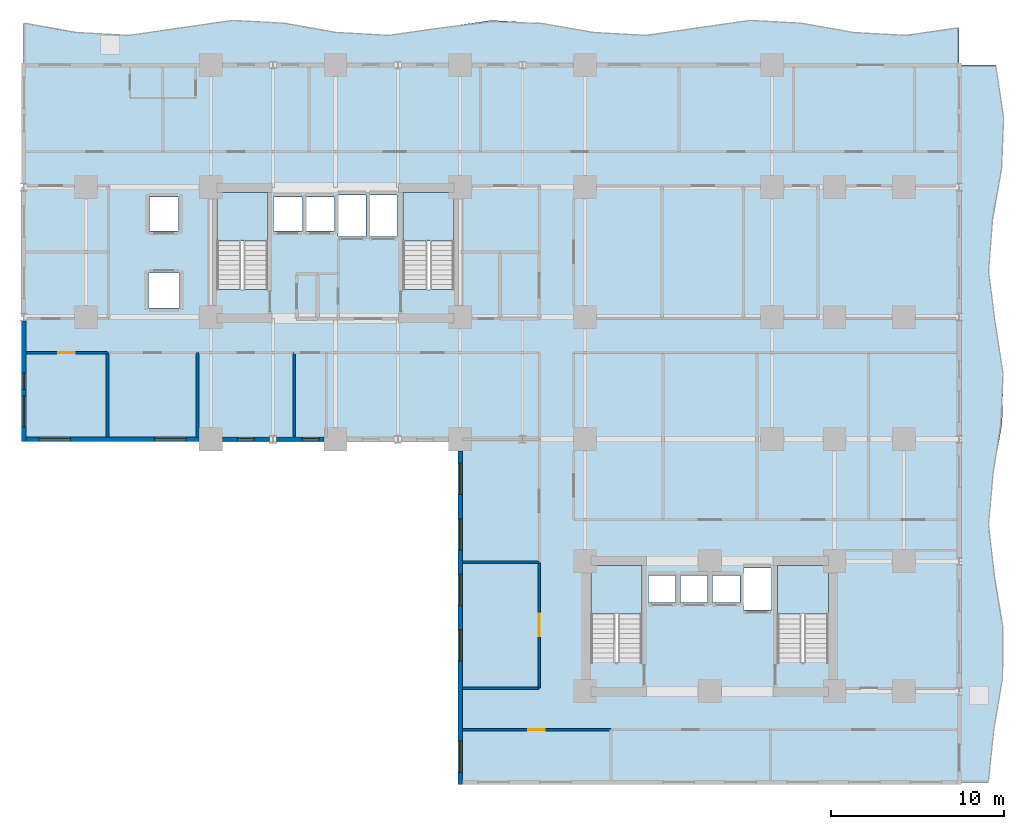
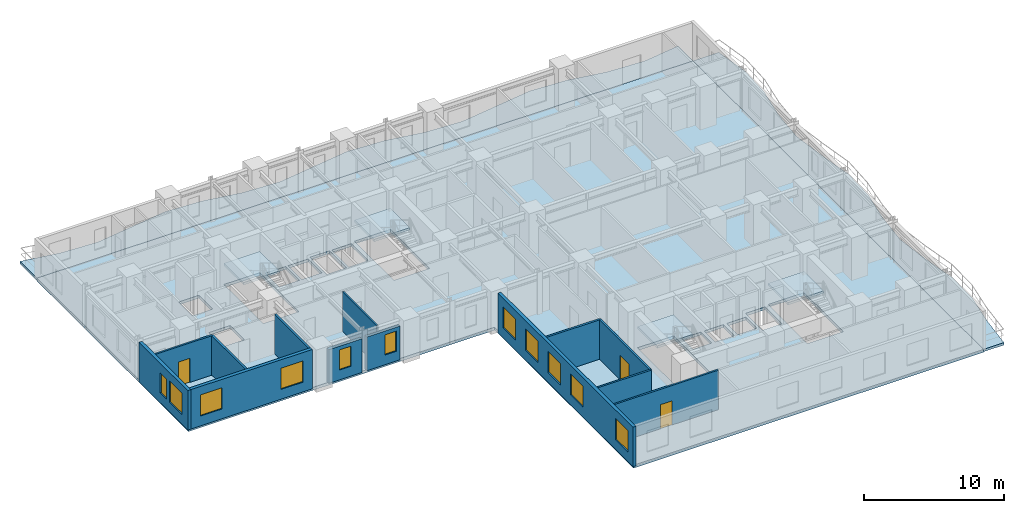
# One storey, part 2 of 11: 13 walls, 11 windows, 7 slabs, 3 doors, 14 openings, 4 elements without a shape of their own.
"""IFC4 building model written with IfcOpenShell, lengths in metres."""

import ifcopenshell
import ifcopenshell.guid

model = None  # the IFC model being written
_history = None  # IfcOwnerHistory: only IFC2X3 demands one
_inside = {}  # id of a spatial element -> (the spatial element, [elements in it])
_under = {}  # id of a project, library or spatial element -> (it, [spatial elements below it])
_declared = {}  # id of a project -> (the project, [libraries it declares])
_typed = {}  # id of a type object -> (the type object, [elements of that type])
_made_of = {}  # id of a material, layer set ... -> (it, [elements and type objects made of it])


def new_model(schema):
    """Start an empty IFC model of exactly this schema.

    Asked for "IFC4X3", IfcOpenShell would pick the latest addendum, in which some entities
    have other attributes; the version numbers below select the first issue.
    IFC2X3 requires an IfcOwnerHistory on every rooted entity: one is made here for all.
    """
    global model, _history
    if schema == "IFC4X3":
        model = ifcopenshell.file(schema_version=(4, 3, 0, 0))
    else:
        model = ifcopenshell.file(schema=schema)
    _inside.clear()
    _under.clear()
    _declared.clear()
    _typed.clear()
    _made_of.clear()
    _history = None
    if model.schema == "IFC2X3":
        org = make("IfcOrganization", Name="unknown")
        user = make(
            "IfcPersonAndOrganization",
            ThePerson=make("IfcPerson", FamilyName="unknown"),
            TheOrganization=org,
        )
        app = make(
            "IfcApplication",
            ApplicationDeveloper=org,
            Version="unknown",
            ApplicationFullName="unknown",
            ApplicationIdentifier="unknown",
        )
        _history = make(
            "IfcOwnerHistory",
            OwningUser=user,
            OwningApplication=app,
            ChangeAction="ADDED",
            CreationDate=0,
        )
    return model


def make(cls, **values):
    """One entity of the class cls with the attributes given. An attribute that is None is left unset."""
    return model.create_entity(
        cls, **{name: value for name, value in values.items() if value is not None}
    )


def rooted(cls, **values):
    """An entity with a GlobalId (a new one), such as an element, a storey or a relation."""
    return make(cls, GlobalId=ifcopenshell.guid.new(), OwnerHistory=_history, **values)


def si_unit(unit_type, name, prefix=None):
    """IfcSIUnit, for example si_unit("LENGTHUNIT", "METRE", prefix="MILLI")."""
    return make("IfcSIUnit", UnitType=unit_type, Prefix=prefix, Name=name)


def assignment(units):
    """IfcUnitAssignment: the units of a project."""
    return None if units is None else make("IfcUnitAssignment", Units=units)


def point(xyz):
    """IfcCartesianPoint."""
    return None if xyz is None else make("IfcCartesianPoint", Coordinates=xyz)


def direction(xyz):
    """IfcDirection."""
    return None if xyz is None else make("IfcDirection", DirectionRatios=xyz)


def frame(location, z_axis=None, x_axis=None):
    """IfcAxis2Placement3D, a coordinate frame: its origin and axes. An axis left out is left unset."""
    return make(
        "IfcAxis2Placement3D",
        Location=point(location),
        Axis=direction(z_axis),
        RefDirection=direction(x_axis),
    )


def frame_2d(location, x_axis=None):
    """IfcAxis2Placement2D, a coordinate frame in the plane: its origin and x axis."""
    return make(
        "IfcAxis2Placement2D", Location=point(location), RefDirection=direction(x_axis)
    )


def origin():
    """The frame at (0, 0, 0) with its axes left unset."""
    return frame((0.0, 0.0, 0.0))


def place(relative_to, where):
    """IfcLocalPlacement: puts the frame where relative to a parent placement (None: the world)."""
    return make(
        "IfcLocalPlacement", PlacementRelTo=relative_to, RelativePlacement=where
    )


def context(
    kind, dimensions, precision=None, world=None, true_north=None, identifier=None
):
    """IfcGeometricRepresentationContext, for example the 3D "Model" context."""
    return make(
        "IfcGeometricRepresentationContext",
        ContextIdentifier=identifier,
        ContextType=kind,
        CoordinateSpaceDimension=dimensions,
        Precision=precision,
        WorldCoordinateSystem=world,
        TrueNorth=true_north,
    )


def subcontext(parent, identifier, kind, view, scale=None):
    """IfcGeometricRepresentationSubContext, for example "Body" below "Model"."""
    return make(
        "IfcGeometricRepresentationSubContext",
        ContextIdentifier=identifier,
        ContextType=kind,
        ParentContext=parent,
        TargetScale=scale,
        TargetView=view,
    )


def project(units=None, contexts=None):
    """IfcProject with its units and contexts."""
    return rooted(
        "IfcProject",
        Name="project",
        RepresentationContexts=contexts,
        UnitsInContext=assignment(units),
    )


def spatial(cls, under=None, at=None, **own):
    """A site, building, storey or space (cls), placed at a placement, below another one or the project."""
    s = rooted(cls, ObjectPlacement=at, **own)
    if under is not None:
        _under.setdefault(under.id(), (under, []))[1].append(s)
    return s


def polyline(points):
    """IfcPolyline through the points."""
    return make("IfcPolyline", Points=[point(p) for p in points])


def profile(cls, at=None, kind="AREA", **sizes):
    """A parametric profile (cls). Its sizes go by their IFC names, for example OverallWidth=200.0."""
    return make(cls, ProfileType=kind, Position=at, **sizes)


def rectangle(**sizes):
    """IfcRectangleProfileDef."""
    return profile("IfcRectangleProfileDef", **sizes)


def outline(outer, holes=None, kind="AREA"):
    """IfcArbitraryClosedProfileDef: a profile drawn as a closed curve; with holes, ...WithVoids."""
    if holes is None:
        return make("IfcArbitraryClosedProfileDef", ProfileType=kind, OuterCurve=outer)
    return make(
        "IfcArbitraryProfileDefWithVoids",
        ProfileType=kind,
        OuterCurve=outer,
        InnerCurves=holes,
    )


def extrude(swept, where, along, depth):
    """IfcExtrudedAreaSolid: the profile swept, set in the frame where, extruded along a direction by depth."""
    return make(
        "IfcExtrudedAreaSolid",
        SweptArea=swept,
        Position=where,
        ExtrudedDirection=direction(along),
        Depth=depth,
    )


def shape(context_of_items, identifier, shape_type, items):
    """IfcShapeRepresentation: the items that make up one representation, for example the "Body"."""
    return make(
        "IfcShapeRepresentation",
        ContextOfItems=context_of_items,
        RepresentationIdentifier=identifier,
        RepresentationType=shape_type,
        Items=items,
    )


def material(Name=None, Category=None):
    """IfcMaterial."""
    return make("IfcMaterial", Name=Name, Category=Category)


def layer(
    of_material, thickness, ventilated=None, Name=None, Category=None, Priority=None
):
    """IfcMaterialLayer: one layer of a wall or slab, of a material (None: an air gap)."""
    return make(
        "IfcMaterialLayer",
        Material=of_material,
        LayerThickness=thickness,
        IsVentilated=ventilated,
        Name=Name,
        Category=Category,
        Priority=Priority,
    )


def layer_set(layers, Name=None):
    """IfcMaterialLayerSet."""
    return make("IfcMaterialLayerSet", MaterialLayers=layers, LayerSetName=Name)


def made_of(thing, what):
    """Note that an element or type object is made of a material, layer set ...; save() writes the relation."""
    if what is not None:
        _made_of.setdefault(what.id(), (what, []))[1].append(thing)
    return thing


def type_object(cls, material=None, **own):
    """A type object (cls), such as IfcWallType, which elements share."""
    return made_of(rooted(cls, **own), material)


def element(
    cls,
    number,
    at=None,
    inside=None,
    cuts=None,
    type_object=None,
    material=None,
    context=None,
    identifier="Body",
    shape_type=None,
    held_by="IfcProductDefinitionShape",
    body=None,
    shapes=None,
    **own,
):
    """One element of the class cls, such as IfcWall. Its Tag is "e" and its number.

    at: its placement. inside: the storey or other place that contains it. cuts: it is an
    opening in that element (IfcRelVoidsElement). A single representation is given by context,
    identifier, shape_type and body (its items); several are given by shapes. held_by: the class
    of the entity that holds the representations. save() writes the other relations.
    """
    e = rooted(cls, Tag="e%d" % number, ObjectPlacement=at, **own)
    if body is not None:
        shapes = [shape(context, identifier, shape_type, body)]
    if shapes is not None:
        e.Representation = make(held_by, Representations=shapes)
    if inside is not None:
        _inside.setdefault(inside.id(), (inside, []))[1].append(e)
    if cuts is not None:
        rooted(
            "IfcRelVoidsElement", RelatingBuildingElement=cuts, RelatedOpeningElement=e
        )
    if type_object is not None:
        _typed.setdefault(type_object.id(), (type_object, []))[1].append(e)
    return made_of(e, material)


def fill(opening, filler):
    """IfcRelFillsElement: the door or window that sits in an opening."""
    return rooted(
        "IfcRelFillsElement",
        RelatingOpeningElement=opening,
        RelatedBuildingElement=filler,
    )


def aggregate(whole, parts):
    """IfcRelAggregates: a whole, such as a stair, and the parts it consists of."""
    return rooted("IfcRelAggregates", RelatingObject=whole, RelatedObjects=parts)


def save(model, path):
    """Write the relations noted so far, then the file.

    IfcRelAggregates (storeys below a building ...), IfcRelContainedInSpatialStructure (elements
    in a storey), IfcRelDefinesByType, IfcRelAssociatesMaterial and IfcRelDeclares: one each for
    every whole, place, type object, material and project.
    """
    for whole, parts in _under.values():
        aggregate(whole, parts)
    for where, things in _inside.values():
        rooted(
            "IfcRelContainedInSpatialStructure",
            RelatedElements=things,
            RelatingStructure=where,
        )
    for kind, things in _typed.values():
        rooted("IfcRelDefinesByType", RelatedObjects=things, RelatingType=kind)
    for what, things in _made_of.values():
        rooted("IfcRelAssociatesMaterial", RelatedObjects=things, RelatingMaterial=what)
    for by, libraries in _declared.values():
        rooted("IfcRelDeclares", RelatingContext=by, RelatedDefinitions=libraries)
    model.write(path)


model = new_model("IFC4")

# Units and contexts
model_context = context("Model", 3, precision=1e-05, world=origin(), true_north=direction((0.0, 1.0)))
body_context = subcontext(model_context, "Body", "Model", "MODEL_VIEW")
ifc_project = project(units=[si_unit("LENGTHUNIT", "METRE"), si_unit("AREAUNIT", "SQUARE_METRE"), si_unit("VOLUMEUNIT", "CUBIC_METRE"), si_unit("PLANEANGLEUNIT", "RADIAN"), si_unit("MASSUNIT", "GRAM", prefix="KILO")], contexts=[model_context])

# Site, building, storey
site_placement = place(None, origin())
site = spatial("IfcSite", under=ifc_project, at=site_placement, CompositionType="ELEMENT")
building_placement = place(site_placement, origin())
building = spatial("IfcBuilding", under=site, at=building_placement, Name="Kaliganga Portal Commons", CompositionType="ELEMENT")
storey_placement = place(building_placement, frame((0.0, 0.0, 40.10009765625)))
storey = spatial("IfcBuildingStorey", under=building, at=storey_placement, Name="L09", CompositionType="ELEMENT", Elevation=40.10009765625)

# Slabs
ifc_material_1 = material(Name="Concrete C40/50", Category="concrete")
ifc_layer_1 = layer(ifc_material_1, 0.2099609375)
ifc_layer_set_1 = layer_set([ifc_layer_1], Name="Concrete C40/50")
slab_type_1 = type_object("IfcSlabType", Name="SLB-BALC-210", PredefinedType="FLOOR", material=ifc_layer_set_1)
slab_1_placement = place(storey_placement, frame((0.0, 0.0, -0.210205078125)))
element("IfcSlab", 1, at=slab_1_placement, inside=storey, type_object=slab_type_1, Name="Scalloped Tree-Planter Balcony Slab L09 balc_north", PredefinedType="FLOOR", context=body_context, shape_type="SweptSolid", body=[
    extrude(outline(polyline([(57.60009765625, 43.199951171875), (57.60009765625, 45.34326171875), (54.60009765625, 44.908935546875), (51.60009765625, 45.07470703125), (48.60009765625, 45.61181640625), (45.60009765625, 45.777587890625), (42.60009765625, 45.34326171875), (39.60009765625, 44.908935546875), (36.60009765625, 45.07470703125), (33.60009765625, 45.61181640625), (30.60009765625, 45.777587890625), (27.60009765625, 45.34326171875), (24.60009765625, 44.908935546875), (21.60009765625, 45.07470703125), (18.60009765625, 45.61181640625), (15.60009765625, 45.777587890625), (12.60009765625, 45.34326171875), (9.60009765625, 44.908935546875), (6.60009765625, 45.07470703125), (3.60009765625, 45.61181640625), (3.60009765625, 43.199951171875), (57.60009765625, 43.199951171875)])), origin(), (0.0, 0.0, 1.0), 0.210205078125),
])
slab_2_placement = place(storey_placement, frame((0.0, 0.0, -0.210205078125)))
element("IfcSlab", 2, at=slab_2_placement, inside=storey, type_object=slab_type_1, Name="Scalloped Tree-Planter Balcony Slab L09 balc_east", PredefinedType="FLOOR", context=body_context, shape_type="SweptSolid", body=[
    extrude(outline(polyline([(57.60009765625, 1.800048828125), (59.28662109375, 1.800048828125), (59.59423828125, 4.757080078125), (60.102783203125, 7.71435546875), (60.126708984375, 10.67138671875), (59.633544921875, 13.628662109375), (59.288330078125, 16.585693359375), (59.55615234375, 19.54296875), (60.076171875, 22.5), (60.1474609375, 25.45703125), (59.673828125, 28.414306640625), (59.293701171875, 31.371337890625), (59.51953125, 34.32861328125), (60.046875, 37.28564453125), (60.164794921875, 40.242919921875), (59.714599609375, 43.199951171875), (57.60009765625, 43.199951171875), (57.60009765625, 1.800048828125)])), origin(), (0.0, 0.0, 1.0), 0.210205078125),
])

# Stair, slab
stair_type = type_object("IfcStairType", Name="ST-CORE-DOGLEG", PredefinedType="HALF_TURN_STAIR", material=ifc_material_1)
stair_1_placement = place(storey_placement, origin())
stair_1 = element("IfcStair", 3, at=stair_1_placement, inside=storey, type_object=stair_type, Name="L09 Protected Exit Stair ST-A1", PredefinedType="HALF_TURN_STAIR")
ifc_layer_2 = layer(ifc_material_1, 0.199951171875)
ifc_layer_set_2 = layer_set([ifc_layer_2], Name="Concrete C40/50")
slab_type_2 = type_object("IfcSlabType", Name="SLB-STAIR-LND", PredefinedType="LANDING", material=ifc_layer_set_2)
slab_3_placement = place(storey_placement, frame((0.0, 0.0, 1.64990234375)))
slab_3 = element("IfcSlab", 4, at=slab_3_placement, type_object=slab_type_2, Name="ST-A1 landing 1", PredefinedType="LANDING", context=body_context, shape_type="SweptSolid", body=[
    extrude(outline(polyline([(17.699951171875, 33.050048828125), (17.699951171875, 35.85009765625), (14.75, 35.85009765625), (14.75, 33.050048828125), (17.699951171875, 33.050048828125)])), origin(), (0.0, 0.0, 1.0), 0.199951171875),
])
aggregate(stair_1, [slab_3])

stair_2_placement = place(storey_placement, origin())
stair_2 = element("IfcStair", 5, at=stair_2_placement, inside=storey, type_object=stair_type, Name="L09 Protected Exit Stair ST-A2", PredefinedType="HALF_TURN_STAIR")
slab_4_placement = place(storey_placement, frame((0.0, 0.0, 1.64990234375)))
slab_4 = element("IfcSlab", 6, at=slab_4_placement, type_object=slab_type_2, Name="ST-A2 landing 1", PredefinedType="LANDING", context=body_context, shape_type="SweptSolid", body=[
    extrude(outline(polyline([(28.449951171875, 33.050048828125), (28.449951171875, 35.85009765625), (25.5, 35.85009765625), (25.5, 33.050048828125), (28.449951171875, 33.050048828125)])), origin(), (0.0, 0.0, 1.0), 0.199951171875),
])
aggregate(stair_2, [slab_4])

stair_3_placement = place(storey_placement, origin())
stair_3 = element("IfcStair", 7, at=stair_3_placement, inside=storey, type_object=stair_type, Name="L09 Protected Exit Stair ST-B1", PredefinedType="HALF_TURN_STAIR")
slab_5_placement = place(storey_placement, frame((0.0, 0.0, 1.64990234375)))
slab_5 = element("IfcSlab", 8, at=slab_5_placement, type_object=slab_type_2, Name="ST-B1 landing 1", PredefinedType="LANDING", context=body_context, shape_type="SweptSolid", body=[
    extrude(outline(polyline([(39.300048828125, 11.5), (39.300048828125, 14.300048828125), (36.35009765625, 14.300048828125), (36.35009765625, 11.5), (39.300048828125, 11.5)])), origin(), (0.0, 0.0, 1.0), 0.199951171875),
])
aggregate(stair_3, [slab_5])

stair_4_placement = place(storey_placement, origin())
stair_4 = element("IfcStair", 9, at=stair_4_placement, inside=storey, type_object=stair_type, Name="L09 Protected Exit Stair ST-B2", PredefinedType="HALF_TURN_STAIR")
slab_6_placement = place(storey_placement, frame((0.0, 0.0, 1.64990234375)))
slab_6 = element("IfcSlab", 10, at=slab_6_placement, type_object=slab_type_2, Name="ST-B2 landing 1", PredefinedType="LANDING", context=body_context, shape_type="SweptSolid", body=[
    extrude(outline(polyline([(50.050048828125, 11.5), (50.050048828125, 14.300048828125), (47.10009765625, 14.300048828125), (47.10009765625, 11.5), (50.050048828125, 11.5)])), origin(), (0.0, 0.0, 1.0), 0.199951171875),
])
aggregate(stair_4, [slab_6])

# Slab
ifc_layer_3 = layer(ifc_material_1, 0.25)
ifc_layer_set_3 = layer_set([ifc_layer_3], Name="Concrete C40/50")
slab_type_3 = type_object("IfcSlabType", Name="SLB-TWR-250", PredefinedType="FLOOR", material=ifc_layer_set_3)
slab_7_placement = place(storey_placement, frame((0.0, 0.0, -0.25)))
element("IfcSlab", 11, at=slab_7_placement, inside=storey, type_object=slab_type_3, Name="Structural Floor Slab L09", PredefinedType="FLOOR", context=body_context, shape_type="SweptSolid", body=[
    extrude(outline(polyline([(28.800048828125, 1.800048828125), (57.60009765625, 1.800048828125), (57.60009765625, 43.199951171875), (3.60009765625, 43.199951171875), (3.60009765625, 21.60009765625), (28.800048828125, 21.60009765625), (28.800048828125, 1.800048828125)]), holes=[polyline([(14.75, 30.25390625), (14.75, 35.85009765625), (17.699951171875, 35.85009765625), (17.699951171875, 30.25390625), (14.75, 30.25390625)]), polyline([(25.5, 30.25390625), (25.5, 35.85009765625), (28.449951171875, 35.85009765625), (28.449951171875, 30.25390625), (25.5, 30.25390625)]), polyline([(36.35009765625, 8.7041015625), (36.35009765625, 14.300048828125), (39.300048828125, 14.300048828125), (39.300048828125, 8.7041015625), (36.35009765625, 8.7041015625)]), polyline([(47.10009765625, 8.7041015625), (47.10009765625, 14.300048828125), (50.050048828125, 14.300048828125), (50.050048828125, 8.7041015625), (47.10009765625, 8.7041015625)]), polyline([(18.014892578125, 33.614990234375), (18.014892578125, 35.5849609375), (19.68505859375, 35.5849609375), (19.68505859375, 33.614990234375), (18.014892578125, 33.614990234375)]), polyline([(19.864990234375, 33.614990234375), (19.864990234375, 35.5849609375), (21.534912109375, 35.5849609375), (21.534912109375, 33.614990234375), (19.864990234375, 33.614990234375)]), polyline([(10.81494140625, 29.18994140625), (10.81494140625, 31.2099609375), (12.5849609375, 31.2099609375), (12.5849609375, 29.18994140625), (10.81494140625, 29.18994140625)]), polyline([(10.864990234375, 33.614990234375), (10.864990234375, 35.5849609375), (12.534912109375, 35.5849609375), (12.534912109375, 33.614990234375), (10.864990234375, 33.614990234375)]), polyline([(21.739990234375, 33.2900390625), (21.739990234375, 35.7099609375), (23.360107421875, 35.7099609375), (23.360107421875, 33.2900390625), (21.739990234375, 33.2900390625)]), polyline([(23.5400390625, 33.2900390625), (23.5400390625, 35.7099609375), (25.159912109375, 35.7099609375), (25.159912109375, 33.2900390625), (23.5400390625, 33.2900390625)]), polyline([(39.6650390625, 12.1650390625), (39.6650390625, 13.735107421875), (41.235107421875, 13.735107421875), (41.235107421875, 12.1650390625), (39.6650390625, 12.1650390625)]), polyline([(41.514892578125, 12.1650390625), (41.514892578125, 13.735107421875), (43.0849609375, 13.735107421875), (43.0849609375, 12.1650390625), (41.514892578125, 12.1650390625)]), polyline([(43.364990234375, 12.1650390625), (43.364990234375, 13.735107421875), (44.93505859375, 13.735107421875), (44.93505859375, 12.1650390625), (43.364990234375, 12.1650390625)]), polyline([(45.139892578125, 11.739990234375), (45.139892578125, 14.159912109375), (46.760009765625, 14.159912109375), (46.760009765625, 11.739990234375), (45.139892578125, 11.739990234375)])]), origin(), (0.0, 0.0, 1.0), 0.25),
])

# Wall, openings, windows
ifc_material_2 = material(Name="Insulated Aluminium-Clad Spandrel Assembly", Category="aluminium")
ifc_layer_4 = layer(ifc_material_2, 0.260009765625)
ifc_layer_set_4 = layer_set([ifc_layer_4], Name="Insulated Aluminium-Clad Spandrel Assembly")
wall_type_1 = type_object("IfcWallType", Name="WL-EXT-SPAND-260", PredefinedType="STANDARD", material=ifc_layer_set_4)
wall_1_placement = place(storey_placement, frame((3.60009765625, 21.469970703125, 0.0), z_axis=(0.0, 0.0, 1.0), x_axis=(0.0, 1.0, 0.0)))
wall_1 = element("IfcWall", 12, at=wall_1_placement, inside=storey, type_object=wall_type_1, Name="Exterior Envelope Wall L09 P1-E03-S3", PredefinedType="STANDARD", context=body_context, shape_type="SweptSolid", body=[
    extrude(rectangle(XDim=6.9560546875, YDim=0.260009765625, at=frame_2d((3.47802734375, 0.0))), origin(), (0.0, 0.0, 1.0), 3.429931640625),
])
opening_1_placement = place(wall_1_placement, frame((0.839111328125, 0.0, 0.85009765625)))
opening_1 = element("IfcOpeningElement", 13, at=opening_1_placement, cuts=wall_1, Name="Opening W-01", PredefinedType="OPENING", context=body_context, shape_type="SweptSolid", body=[
    extrude(rectangle(XDim=1.800048828125, YDim=1.85009765625, at=frame_2d((0.89990234375, 0.925048828125))), frame((0.0, 0.14013671875, 0.0), z_axis=(0.0, -1.0, 0.0), x_axis=(1.0, 0.0, 0.0)), (0.0, 0.0, 1.0), 0.280029296875),
])
opening_2_placement = place(wall_1_placement, frame((3.0029296875, 0.0, 0.85009765625)))
opening_2 = element("IfcOpeningElement", 14, at=opening_2_placement, cuts=wall_1, Name="Opening W-04", PredefinedType="OPENING", context=body_context, shape_type="SweptSolid", body=[
    extrude(rectangle(XDim=0.949951171875, YDim=1.75, at=frame_2d((0.47509765625, 0.875))), frame((0.0, 0.14013671875, 0.0), z_axis=(0.0, -1.0, 0.0), x_axis=(1.0, 0.0, 0.0)), (0.0, 0.0, 1.0), 0.280029296875),
])
ifc_material_3 = material(Name="Thermally Broken Aluminium and Low-E Double Glazing", Category="aluminium")
window_type_1 = type_object("IfcWindowType", Name="WIN-NARROW-950", PartitioningType="SINGLE_PANEL", PredefinedType="WINDOW", material=ifc_material_3)
window_1_placement = place(opening_2_placement, origin())
window_1 = element("IfcWindow", 15, at=window_1_placement, inside=storey, type_object=window_type_1, Name="Facade Window L09-P1E03S3-N0", OverallHeight=1.75, OverallWidth=0.949951171875, PartitioningType="SINGLE_PANEL", PredefinedType="WINDOW", context=body_context, shape_type="SweptSolid", body=[
    extrude(rectangle(XDim=0.949951171875, YDim=1.75, at=frame_2d((0.47509765625, 0.875))), frame((0.0, 0.030029296875, 0.0), z_axis=(0.0, -1.0, 0.0), x_axis=(1.0, 0.0, 0.0)), (0.0, 0.0, 1.0), 0.06005859375),
])
fill(opening_2, window_1)
window_type_2 = type_object("IfcWindowType", Name="WIN-STD-1800", PartitioningType="DOUBLE_PANEL_VERTICAL", PredefinedType="WINDOW", material=ifc_material_3)
window_2_placement = place(opening_1_placement, origin())
window_2 = element("IfcWindow", 16, at=window_2_placement, inside=storey, type_object=window_type_2, Name="Facade Window L09-P1E03S3-00", OverallHeight=1.85009765625, OverallWidth=1.800048828125, PartitioningType="SINGLE_PANEL", PredefinedType="WINDOW", context=body_context, shape_type="SweptSolid", body=[
    extrude(rectangle(XDim=1.800048828125, YDim=1.85009765625, at=frame_2d((0.89990234375, 0.925048828125))), frame((0.0, 0.030029296875, 0.0), z_axis=(0.0, -1.0, 0.0), x_axis=(1.0, 0.0, 0.0)), (0.0, 0.0, 1.0), 0.06005859375),
])
fill(opening_1, window_2)

wall_2_placement = place(storey_placement, frame((13.72412109375, 21.60009765625, 0.0), z_axis=(0.0, 0.0, 1.0), x_axis=(-1.0, 0.0, 0.0)))
wall_2 = element("IfcWall", 17, at=wall_2_placement, inside=storey, type_object=wall_type_1, Name="Exterior Envelope Wall L09 P1-E04-S1", PredefinedType="STANDARD", context=body_context, shape_type="SweptSolid", body=[
    extrude(rectangle(XDim=9.989013671875, YDim=0.260009765625, at=frame_2d((4.99462890625, 0.0))), origin(), (0.0, 0.0, 1.0), 3.429931640625),
])
opening_3_placement = place(wall_2_placement, frame((0.764892578125, 0.0, 0.85009765625)))
opening_3 = element("IfcOpeningElement", 18, at=opening_3_placement, cuts=wall_2, Name="Opening W-01", PredefinedType="OPENING", context=body_context, shape_type="SweptSolid", body=[
    extrude(rectangle(XDim=1.800048828125, YDim=1.85009765625, at=frame_2d((0.89990234375, 0.925048828125))), frame((0.0, 0.14013671875, 0.0), z_axis=(0.0, -1.0, 0.0), x_axis=(1.0, 0.0, 0.0)), (0.0, 0.0, 1.0), 0.280029296875),
])
opening_4_placement = place(wall_2_placement, frame((7.42431640625, 0.0, 0.85009765625)))
opening_4 = element("IfcOpeningElement", 19, at=opening_4_placement, cuts=wall_2, Name="Opening W-01", PredefinedType="OPENING", context=body_context, shape_type="SweptSolid", body=[
    extrude(rectangle(XDim=1.800048828125, YDim=1.85009765625, at=frame_2d((0.89990234375, 0.925048828125))), frame((0.0, 0.14013671875, 0.0), z_axis=(0.0, -1.0, 0.0), x_axis=(1.0, 0.0, 0.0)), (0.0, 0.0, 1.0), 0.280029296875),
])
window_3_placement = place(opening_3_placement, origin())
window_3 = element("IfcWindow", 20, at=window_3_placement, inside=storey, type_object=window_type_2, Name="Facade Window L09-P1E04S1-00", OverallHeight=1.85009765625, OverallWidth=1.800048828125, PartitioningType="SINGLE_PANEL", PredefinedType="WINDOW", context=body_context, shape_type="SweptSolid", body=[
    extrude(rectangle(XDim=1.800048828125, YDim=1.85009765625, at=frame_2d((0.89990234375, 0.925048828125))), frame((0.0, 0.030029296875, 0.0), z_axis=(0.0, -1.0, 0.0), x_axis=(1.0, 0.0, 0.0)), (0.0, 0.0, 1.0), 0.06005859375),
])
fill(opening_3, window_3)
window_4_placement = place(opening_4_placement, origin())
window_4 = element("IfcWindow", 21, at=window_4_placement, inside=storey, type_object=window_type_2, Name="Facade Window L09-P1E04S1-02", OverallHeight=1.85009765625, OverallWidth=1.800048828125, PartitioningType="SINGLE_PANEL", PredefinedType="WINDOW", context=body_context, shape_type="SweptSolid", body=[
    extrude(rectangle(XDim=1.800048828125, YDim=1.85009765625, at=frame_2d((0.89990234375, 0.925048828125))), frame((0.0, 0.030029296875, 0.0), z_axis=(0.0, -1.0, 0.0), x_axis=(1.0, 0.0, 0.0)), (0.0, 0.0, 1.0), 0.06005859375),
])
fill(opening_4, window_4)

# Wall, opening, window
wall_3_placement = place(storey_placement, frame((17.791015625, 21.60009765625, 0.0), z_axis=(0.0, 0.0, 1.0), x_axis=(-1.0, 0.0, 0.0)))
wall_3 = element("IfcWall", 22, at=wall_3_placement, inside=storey, type_object=wall_type_1, Name="Exterior Envelope Wall L09 P1-E04-S2", PredefinedType="STANDARD", context=body_context, shape_type="SweptSolid", body=[
    extrude(rectangle(XDim=2.715087890625, YDim=0.260009765625, at=frame_2d((1.357421875, 0.0))), origin(), (0.0, 0.0, 1.0), 2.929931640625),
])
opening_5_placement = place(wall_3_placement, frame((0.882568359375, 0.0, 0.85009765625)))
opening_5 = element("IfcOpeningElement", 23, at=opening_5_placement, cuts=wall_3, Name="Opening W-04", PredefinedType="OPENING", context=body_context, shape_type="SweptSolid", body=[
    extrude(rectangle(XDim=0.949951171875, YDim=1.75, at=frame_2d((0.47509765625, 0.875))), frame((0.0, 0.14013671875, 0.0), z_axis=(0.0, -1.0, 0.0), x_axis=(1.0, 0.0, 0.0)), (0.0, 0.0, 1.0), 0.280029296875),
])
window_5_placement = place(opening_5_placement, origin())
window_5 = element("IfcWindow", 24, at=window_5_placement, inside=storey, type_object=window_type_1, Name="Facade Window L09-P1E04S2-00", OverallHeight=1.75, OverallWidth=0.949951171875, PartitioningType="SINGLE_PANEL", PredefinedType="WINDOW", context=body_context, shape_type="SweptSolid", body=[
    extrude(rectangle(XDim=0.949951171875, YDim=1.75, at=frame_2d((0.47509765625, 0.875))), frame((0.0, 0.030029296875, 0.0), z_axis=(0.0, -1.0, 0.0), x_axis=(1.0, 0.0, 0.0)), (0.0, 0.0, 1.0), 0.06005859375),
])
fill(opening_5, window_5)

wall_4_placement = place(storey_placement, frame((20.924072265625, 21.60009765625, 0.0), z_axis=(0.0, 0.0, 1.0), x_axis=(-1.0, 0.0, 0.0)))
wall_4 = element("IfcWall", 25, at=wall_4_placement, inside=storey, type_object=wall_type_1, Name="Exterior Envelope Wall L09 P1-E04-S3", PredefinedType="STANDARD", context=body_context, shape_type="SweptSolid", body=[
    extrude(rectangle(XDim=2.715087890625, YDim=0.260009765625, at=frame_2d((1.357421875, 0.0))), origin(), (0.0, 0.0, 1.0), 2.929931640625),
])
opening_6_placement = place(wall_4_placement, frame((0.28515625, 0.0, 0.85009765625)))
opening_6 = element("IfcOpeningElement", 26, at=opening_6_placement, cuts=wall_4, Name="Opening W-04", PredefinedType="OPENING", context=body_context, shape_type="SweptSolid", body=[
    extrude(rectangle(XDim=0.949951171875, YDim=1.75, at=frame_2d((0.47509765625, 0.875))), frame((0.0, 0.14013671875, 0.0), z_axis=(0.0, -1.0, 0.0), x_axis=(1.0, 0.0, 0.0)), (0.0, 0.0, 1.0), 0.280029296875),
])
window_6_placement = place(opening_6_placement, origin())
window_6 = element("IfcWindow", 27, at=window_6_placement, inside=storey, type_object=window_type_1, Name="Facade Window L09-P1E04S3-N3", OverallHeight=1.75, OverallWidth=0.949951171875, PartitioningType="SINGLE_PANEL", PredefinedType="WINDOW", context=body_context, shape_type="SweptSolid", body=[
    extrude(rectangle(XDim=0.949951171875, YDim=1.75, at=frame_2d((0.47509765625, 0.875))), frame((0.0, 0.030029296875, 0.0), z_axis=(0.0, -1.0, 0.0), x_axis=(1.0, 0.0, 0.0)), (0.0, 0.0, 1.0), 0.06005859375),
])
fill(opening_6, window_6)

# Wall, openings, windows
wall_5_placement = place(storey_placement, frame((28.800048828125, 1.669921875, 0.0), z_axis=(0.0, 0.0, 1.0), x_axis=(0.0, 1.0, 0.0)))
wall_5 = element("IfcWall", 28, at=wall_5_placement, inside=storey, type_object=wall_type_1, Name="Exterior Envelope Wall L09 P1-E05-S1", PredefinedType="STANDARD", context=body_context, shape_type="SweptSolid", body=[
    extrude(rectangle(XDim=19.254150390625, YDim=0.260009765625, at=frame_2d((9.626953125, 0.0))), origin(), (0.0, 0.0, 1.0), 3.429931640625),
])
opening_7_placement = place(wall_5_placement, frame((0.70458984375, 0.0, 0.85009765625)))
opening_7 = element("IfcOpeningElement", 29, at=opening_7_placement, cuts=wall_5, Name="Opening W-01", PredefinedType="OPENING", context=body_context, shape_type="SweptSolid", body=[
    extrude(rectangle(XDim=1.800048828125, YDim=1.85009765625, at=frame_2d((0.89990234375, 0.925048828125))), frame((0.0, 0.14013671875, 0.0), z_axis=(0.0, -1.0, 0.0), x_axis=(1.0, 0.0, 0.0)), (0.0, 0.0, 1.0), 0.280029296875),
])
opening_8_placement = place(wall_5_placement, frame((7.12255859375, 0.0, 0.85009765625)))
opening_8 = element("IfcOpeningElement", 30, at=opening_8_placement, cuts=wall_5, Name="Opening W-01", PredefinedType="OPENING", context=body_context, shape_type="SweptSolid", body=[
    extrude(rectangle(XDim=1.800048828125, YDim=1.85009765625, at=frame_2d((0.89990234375, 0.925048828125))), frame((0.0, 0.14013671875, 0.0), z_axis=(0.0, -1.0, 0.0), x_axis=(1.0, 0.0, 0.0)), (0.0, 0.0, 1.0), 0.280029296875),
])
opening_9_placement = place(wall_5_placement, frame((10.33154296875, 0.0, 0.85009765625)))
opening_9 = element("IfcOpeningElement", 31, at=opening_9_placement, cuts=wall_5, Name="Opening W-01", PredefinedType="OPENING", context=body_context, shape_type="SweptSolid", body=[
    extrude(rectangle(XDim=1.800048828125, YDim=1.85009765625, at=frame_2d((0.89990234375, 0.925048828125))), frame((0.0, 0.14013671875, 0.0), z_axis=(0.0, -1.0, 0.0), x_axis=(1.0, 0.0, 0.0)), (0.0, 0.0, 1.0), 0.280029296875),
])
opening_10_placement = place(wall_5_placement, frame((13.54052734375, 0.0, 0.85009765625)))
opening_10 = element("IfcOpeningElement", 32, at=opening_10_placement, cuts=wall_5, Name="Opening W-01", PredefinedType="OPENING", context=body_context, shape_type="SweptSolid", body=[
    extrude(rectangle(XDim=1.800048828125, YDim=1.85009765625, at=frame_2d((0.89990234375, 0.925048828125))), frame((0.0, 0.14013671875, 0.0), z_axis=(0.0, -1.0, 0.0), x_axis=(1.0, 0.0, 0.0)), (0.0, 0.0, 1.0), 0.280029296875),
])
opening_11_placement = place(wall_5_placement, frame((16.74951171875, 0.0, 0.85009765625)))
opening_11 = element("IfcOpeningElement", 33, at=opening_11_placement, cuts=wall_5, Name="Opening W-01", PredefinedType="OPENING", context=body_context, shape_type="SweptSolid", body=[
    extrude(rectangle(XDim=1.800048828125, YDim=1.85009765625, at=frame_2d((0.89990234375, 0.925048828125))), frame((0.0, 0.14013671875, 0.0), z_axis=(0.0, -1.0, 0.0), x_axis=(1.0, 0.0, 0.0)), (0.0, 0.0, 1.0), 0.280029296875),
])
window_7_placement = place(opening_7_placement, origin())
window_7 = element("IfcWindow", 34, at=window_7_placement, inside=storey, type_object=window_type_2, Name="Facade Window L09-P1E05S1-00", OverallHeight=1.85009765625, OverallWidth=1.800048828125, PartitioningType="SINGLE_PANEL", PredefinedType="WINDOW", context=body_context, shape_type="SweptSolid", body=[
    extrude(rectangle(XDim=1.800048828125, YDim=1.85009765625, at=frame_2d((0.89990234375, 0.925048828125))), frame((0.0, 0.030029296875, 0.0), z_axis=(0.0, -1.0, 0.0), x_axis=(1.0, 0.0, 0.0)), (0.0, 0.0, 1.0), 0.06005859375),
])
fill(opening_7, window_7)
window_8_placement = place(opening_8_placement, origin())
window_8 = element("IfcWindow", 35, at=window_8_placement, inside=storey, type_object=window_type_2, Name="Facade Window L09-P1E05S1-02", OverallHeight=1.85009765625, OverallWidth=1.800048828125, PartitioningType="SINGLE_PANEL", PredefinedType="WINDOW", context=body_context, shape_type="SweptSolid", body=[
    extrude(rectangle(XDim=1.800048828125, YDim=1.85009765625, at=frame_2d((0.89990234375, 0.925048828125))), frame((0.0, 0.030029296875, 0.0), z_axis=(0.0, -1.0, 0.0), x_axis=(1.0, 0.0, 0.0)), (0.0, 0.0, 1.0), 0.06005859375),
])
fill(opening_8, window_8)
window_9_placement = place(opening_9_placement, origin())
window_9 = element("IfcWindow", 36, at=window_9_placement, inside=storey, type_object=window_type_2, Name="Facade Window L09-P1E05S1-03", OverallHeight=1.85009765625, OverallWidth=1.800048828125, PartitioningType="SINGLE_PANEL", PredefinedType="WINDOW", context=body_context, shape_type="SweptSolid", body=[
    extrude(rectangle(XDim=1.800048828125, YDim=1.85009765625, at=frame_2d((0.89990234375, 0.925048828125))), frame((0.0, 0.030029296875, 0.0), z_axis=(0.0, -1.0, 0.0), x_axis=(1.0, 0.0, 0.0)), (0.0, 0.0, 1.0), 0.06005859375),
])
fill(opening_9, window_9)
window_10_placement = place(opening_10_placement, origin())
window_10 = element("IfcWindow", 37, at=window_10_placement, inside=storey, type_object=window_type_2, Name="Facade Window L09-P1E05S1-04", OverallHeight=1.85009765625, OverallWidth=1.800048828125, PartitioningType="SINGLE_PANEL", PredefinedType="WINDOW", context=body_context, shape_type="SweptSolid", body=[
    extrude(rectangle(XDim=1.800048828125, YDim=1.85009765625, at=frame_2d((0.89990234375, 0.925048828125))), frame((0.0, 0.030029296875, 0.0), z_axis=(0.0, -1.0, 0.0), x_axis=(1.0, 0.0, 0.0)), (0.0, 0.0, 1.0), 0.06005859375),
])
fill(opening_10, window_10)
window_11_placement = place(opening_11_placement, origin())
window_11 = element("IfcWindow", 38, at=window_11_placement, inside=storey, type_object=window_type_2, Name="Facade Window L09-P1E05S1-05", OverallHeight=1.85009765625, OverallWidth=1.800048828125, PartitioningType="SINGLE_PANEL", PredefinedType="WINDOW", context=body_context, shape_type="SweptSolid", body=[
    extrude(rectangle(XDim=1.800048828125, YDim=1.85009765625, at=frame_2d((0.89990234375, 0.925048828125))), frame((0.0, 0.030029296875, 0.0), z_axis=(0.0, -1.0, 0.0), x_axis=(1.0, 0.0, 0.0)), (0.0, 0.0, 1.0), 0.06005859375),
])
fill(opening_11, window_11)

# Wall, opening, door
ifc_material_4 = material(Name="Fire-Rated Gypsum Board on Steel Stud", Category="steel")
ifc_layer_5 = layer(ifc_material_4, 0.14990234375)
ifc_layer_set_5 = layer_set([ifc_layer_5], Name="Fire-Rated Gypsum Board on Steel Stud")
wall_type_2 = type_object("IfcWallType", Name="WL-PART-CORR-150", PredefinedType="PARTITIONING", material=ifc_layer_set_5)
wall_6_placement = place(storey_placement, frame((28.931884765625, 4.840087890625, 0.0), z_axis=(0.0, 0.0, 1.0), x_axis=(1.0, 0.0, 0.0)))
wall_6 = element("IfcWall", 39, at=wall_6_placement, inside=storey, type_object=wall_type_2, Name="Interior Partition L09-013", PredefinedType="PARTITIONING", context=body_context, shape_type="SweptSolid", body=[
    extrude(rectangle(XDim=8.568115234375, YDim=0.14990234375, at=frame_2d((4.2841796875, 0.0))), origin(), (0.0, 0.0, 1.0), 3.429931640625),
])
opening_12_placement = place(wall_6_placement, frame((3.80908203125, 0.0, 0.0)))
opening_12 = element("IfcOpeningElement", 40, at=opening_12_placement, cuts=wall_6, Name="Opening UD-01", PredefinedType="OPENING", context=body_context, shape_type="SweptSolid", body=[
    extrude(rectangle(XDim=0.949951171875, YDim=2.10009765625, at=frame_2d((0.47509765625, 1.050048828125))), frame((0.0, 0.0849609375, 0.0), z_axis=(0.0, -1.0, 0.0), x_axis=(1.0, 0.0, 0.0)), (0.0, 0.0, 1.0), 0.169921875),
])
ifc_material_5 = material(Name="Solid-Core Timber Acoustic Fire Door", Category="wood")
door_type_1 = type_object("IfcDoorType", Name="DR-UNIT-950", OperationType="NOTDEFINED", PredefinedType="DOOR", material=ifc_material_5)
door_1_placement = place(opening_12_placement, origin())
door_1 = element("IfcDoor", 41, at=door_1_placement, inside=storey, type_object=door_type_1, Name="Interior Door L09-BS01", OperationType="SINGLE_SWING_LEFT", OverallHeight=2.10009765625, OverallWidth=0.949951171875, PredefinedType="DOOR", context=body_context, shape_type="SweptSolid", body=[
    extrude(rectangle(XDim=0.949951171875, YDim=2.10009765625, at=frame_2d((0.47509765625, 1.050048828125))), frame((0.0, 0.02490234375, 0.0), z_axis=(0.0, -1.0, 0.0), x_axis=(1.0, 0.0, 0.0)), (0.0, 0.0, 1.0), 0.050048828125),
])
fill(opening_12, door_1)

wall_7_placement = place(storey_placement, frame((33.360107421875, 7.239990234375, 0.0), z_axis=(0.0, 0.0, 1.0), x_axis=(0.0, 1.0, 0.0)))
wall_7 = element("IfcWall", 42, at=wall_7_placement, inside=storey, type_object=wall_type_2, Name="Interior Partition L09-019", PredefinedType="PARTITIONING", context=body_context, shape_type="SweptSolid", body=[
    extrude(rectangle(XDim=7.260009765625, YDim=0.14990234375, at=frame_2d((3.6298828125, 0.0))), origin(), (0.0, 0.0, 1.0), 3.429931640625),
])
opening_13_placement = place(wall_7_placement, frame((2.97998046875, 0.0, 0.0)))
opening_13 = element("IfcOpeningElement", 43, at=opening_13_placement, cuts=wall_7, Name="Opening RD-03", PredefinedType="OPENING", context=body_context, shape_type="SweptSolid", body=[
    extrude(rectangle(XDim=1.300048828125, YDim=2.1201171875, at=frame_2d((0.64990234375, 1.06005859375))), frame((0.0, 0.0849609375, 0.0), z_axis=(0.0, -1.0, 0.0), x_axis=(1.0, 0.0, 0.0)), (0.0, 0.0, 1.0), 0.169921875),
])
ifc_material_6 = material(Name="Glazed Timber Seminar Vision Door", Category="wood")
door_type_2 = type_object("IfcDoorType", Name="DR-STUDY-1300", OperationType="DOUBLE_DOOR_SINGLE_SWING", PredefinedType="DOOR", material=ifc_material_6)
door_2_placement = place(opening_13_placement, origin())
door_2 = element("IfcDoor", 44, at=door_2_placement, inside=storey, type_object=door_type_2, Name="Interior Door L09-KW01", OperationType="DOUBLE_DOOR_SINGLE_SWING", OverallHeight=2.1201171875, OverallWidth=1.300048828125, PredefinedType="DOOR", context=body_context, shape_type="SweptSolid", body=[
    extrude(rectangle(XDim=1.300048828125, YDim=2.1201171875, at=frame_2d((0.64990234375, 1.06005859375))), frame((0.0, 0.02490234375, 0.0), z_axis=(0.0, -1.0, 0.0), x_axis=(1.0, 0.0, 0.0)), (0.0, 0.0, 1.0), 0.050048828125),
])
fill(opening_13, door_2)

wall_8_placement = place(storey_placement, frame((3.73193359375, 26.60009765625, 0.0), z_axis=(0.0, 0.0, 1.0), x_axis=(1.0, 0.0, 0.0)))
wall_8 = element("IfcWall", 45, at=wall_8_placement, inside=storey, type_object=wall_type_2, Name="Interior Partition L09-039", PredefinedType="PARTITIONING", context=body_context, shape_type="SweptSolid", body=[
    extrude(rectangle(XDim=4.7080078125, YDim=0.14990234375, at=frame_2d((2.35400390625, 0.0))), origin(), (0.0, 0.0, 1.0), 3.429931640625),
])
opening_14_placement = place(wall_8_placement, frame((1.87890625, 0.0, 0.0)))
opening_14 = element("IfcOpeningElement", 46, at=opening_14_placement, cuts=wall_8, Name="Opening UD-01", PredefinedType="OPENING", context=body_context, shape_type="SweptSolid", body=[
    extrude(rectangle(XDim=0.949951171875, YDim=2.10009765625, at=frame_2d((0.47509765625, 1.050048828125))), frame((0.0, 0.0849609375, 0.0), z_axis=(0.0, -1.0, 0.0), x_axis=(1.0, 0.0, 0.0)), (0.0, 0.0, 1.0), 0.169921875),
])
door_3_placement = place(opening_14_placement, origin())
door_3 = element("IfcDoor", 47, at=door_3_placement, inside=storey, type_object=door_type_1, Name="Interior Door L09-AS01", OperationType="SINGLE_SWING_RIGHT", OverallHeight=2.10009765625, OverallWidth=0.949951171875, PredefinedType="DOOR", context=body_context, shape_type="SweptSolid", body=[
    extrude(rectangle(XDim=0.949951171875, YDim=2.10009765625, at=frame_2d((0.47509765625, 1.050048828125))), frame((0.0, 0.02490234375, 0.0), z_axis=(0.0, -1.0, 0.0), x_axis=(1.0, 0.0, 0.0)), (0.0, 0.0, 1.0), 0.050048828125),
])
fill(opening_14, door_3)

# Walls
wall_9_placement = place(storey_placement, frame((28.931884765625, 7.239990234375, 0.0), z_axis=(0.0, 0.0, 1.0), x_axis=(1.0, 0.0, 0.0)))
element("IfcWall", 48, at=wall_9_placement, inside=storey, type_object=wall_type_2, Name="Interior Partition L09-041", PredefinedType="PARTITIONING", context=body_context, shape_type="SweptSolid", body=[
    extrude(rectangle(XDim=4.42822265625, YDim=0.14990234375, at=frame_2d((2.214111328125, 0.0))), origin(), (0.0, 0.0, 1.0), 3.429931640625),
])
ifc_material_7 = material(Name="Twin-Stud Acoustic Gypsum Partition", Category="gypsum")
ifc_layer_6 = layer(ifc_material_7, 0.1650390625)
ifc_layer_set_6 = layer_set([ifc_layer_6], Name="Twin-Stud Acoustic Gypsum Partition")
wall_type_3 = type_object("IfcWallType", Name="WL-PART-UNIT-165", PredefinedType="PARTITIONING", material=ifc_layer_set_6)
for number, where, z_axis, x_axis, name in (
    (49, (8.43994140625, 21.73193359375, 0.0), (0.0, 0.0, 1.0), (0.0, 1.0, 0.0), "Interior Partition L09-072"),
    (50, (13.639892578125, 21.73193359375, 0.0), (0.0, 0.0, 1.0), (0.0, 1.0, 0.0), "Interior Partition L09-073"),
):
    element("IfcWall", number, at=place(storey_placement, frame(where, z_axis=z_axis, x_axis=x_axis)), inside=storey, type_object=wall_type_3, Name=name, PredefinedType="PARTITIONING", context=body_context, shape_type="SweptSolid", body=[
        extrude(rectangle(XDim=4.8681640625, YDim=0.1650390625, at=frame_2d((2.43408203125, 0.0))), origin(), (0.0, 0.0, 1.0), 3.429931640625),
    ])
wall_10_placement = place(storey_placement, frame((28.931884765625, 14.5, 0.0), z_axis=(0.0, 0.0, 1.0), x_axis=(1.0, 0.0, 0.0)))
element("IfcWall", 51, at=wall_10_placement, inside=storey, type_object=wall_type_3, Name="Interior Partition L09-083", PredefinedType="PARTITIONING", context=body_context, shape_type="SweptSolid", body=[
    extrude(rectangle(XDim=4.42822265625, YDim=0.1650390625, at=frame_2d((2.214111328125, 0.0))), origin(), (0.0, 0.0, 1.0), 3.429931640625),
])
ifc_material_8 = material(Name="Cement-Board Wet-Room Partition", Category="gypsum")
ifc_layer_7 = layer(ifc_material_8, 0.135009765625)
ifc_layer_set_7 = layer_set([ifc_layer_7], Name="Cement-Board Wet-Room Partition")
wall_type_4 = type_object("IfcWallType", Name="WL-PART-WET-135", PredefinedType="PARTITIONING", material=ifc_layer_set_7)
wall_11_placement = place(storey_placement, frame((19.219970703125, 21.73193359375, 0.0), z_axis=(0.0, 0.0, 1.0), x_axis=(0.0, 1.0, 0.0)))
element("IfcWall", 52, at=wall_11_placement, inside=storey, type_object=wall_type_4, Name="Interior Partition L09-074", PredefinedType="PARTITIONING", context=body_context, shape_type="SweptSolid", body=[
    extrude(rectangle(XDim=4.8681640625, YDim=0.135009765625, at=frame_2d((2.43408203125, 0.0))), origin(), (0.0, 0.0, 1.0), 3.429931640625),
])

save(model, "model.ifc")
